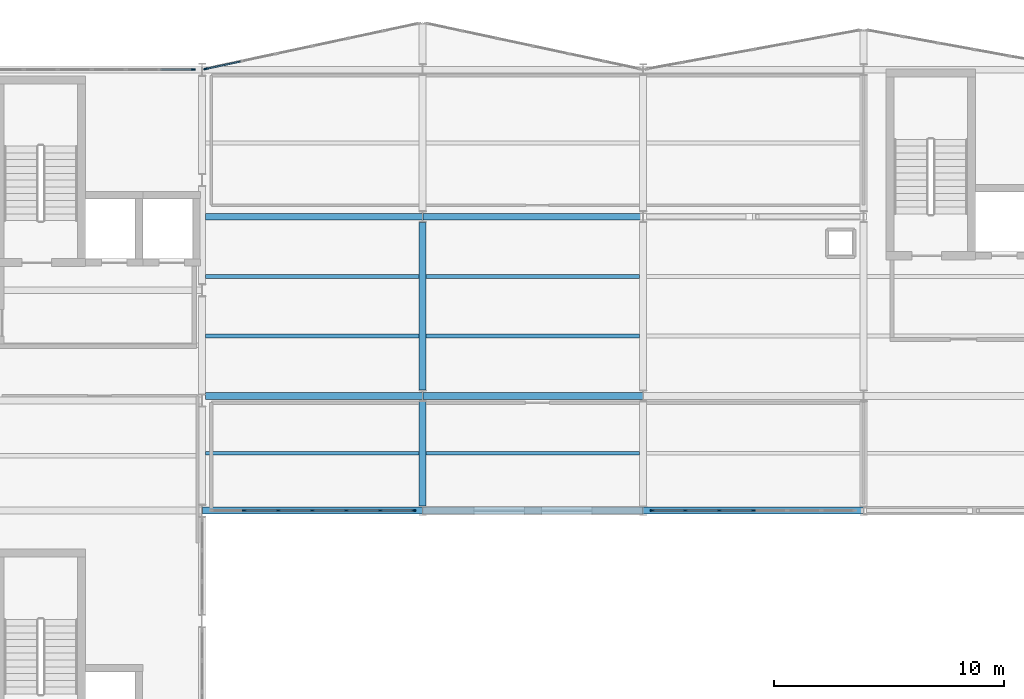
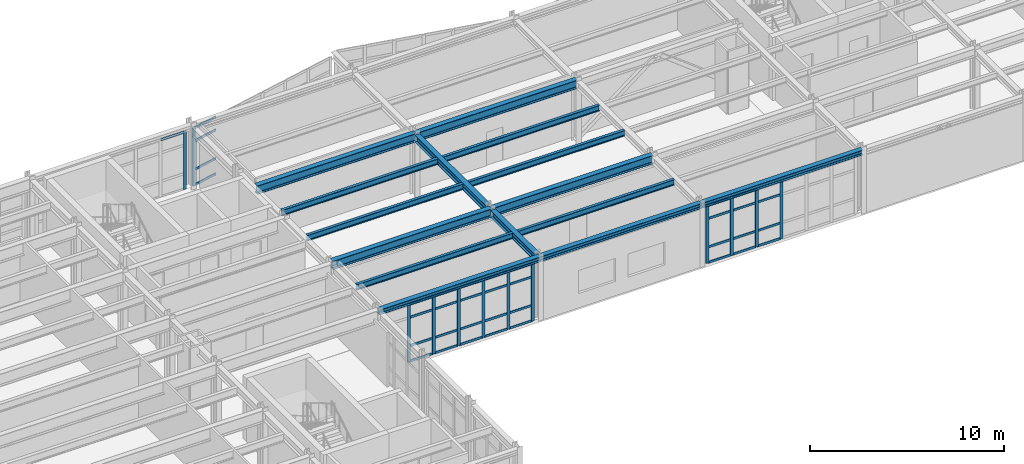
# One storey, part 35 of 88: 48 members, 15 beams, 4 elements without a shape of their own.
"""IFC4 building model written with IfcOpenShell, lengths in metres."""

import ifcopenshell
import ifcopenshell.guid

model = None  # the IFC model being written
_history = None  # IfcOwnerHistory: only IFC2X3 demands one
_inside = {}  # id of a spatial element -> (the spatial element, [elements in it])
_under = {}  # id of a project, library or spatial element -> (it, [spatial elements below it])
_declared = {}  # id of a project -> (the project, [libraries it declares])
_typed = {}  # id of a type object -> (the type object, [elements of that type])
_made_of = {}  # id of a material, layer set ... -> (it, [elements and type objects made of it])


def new_model(schema):
    """Start an empty IFC model of exactly this schema.

    Asked for "IFC4X3", IfcOpenShell would pick the latest addendum, in which some entities
    have other attributes; the version numbers below select the first issue.
    IFC2X3 requires an IfcOwnerHistory on every rooted entity: one is made here for all.
    """
    global model, _history
    if schema == "IFC4X3":
        model = ifcopenshell.file(schema_version=(4, 3, 0, 0))
    else:
        model = ifcopenshell.file(schema=schema)
    _inside.clear()
    _under.clear()
    _declared.clear()
    _typed.clear()
    _made_of.clear()
    _history = None
    if model.schema == "IFC2X3":
        org = make("IfcOrganization", Name="unknown")
        user = make(
            "IfcPersonAndOrganization",
            ThePerson=make("IfcPerson", FamilyName="unknown"),
            TheOrganization=org,
        )
        app = make(
            "IfcApplication",
            ApplicationDeveloper=org,
            Version="unknown",
            ApplicationFullName="unknown",
            ApplicationIdentifier="unknown",
        )
        _history = make(
            "IfcOwnerHistory",
            OwningUser=user,
            OwningApplication=app,
            ChangeAction="ADDED",
            CreationDate=0,
        )
    return model


def make(cls, **values):
    """One entity of the class cls with the attributes given. An attribute that is None is left unset."""
    return model.create_entity(
        cls, **{name: value for name, value in values.items() if value is not None}
    )


def rooted(cls, **values):
    """An entity with a GlobalId (a new one), such as an element, a storey or a relation."""
    return make(cls, GlobalId=ifcopenshell.guid.new(), OwnerHistory=_history, **values)


def si_unit(unit_type, name, prefix=None):
    """IfcSIUnit, for example si_unit("LENGTHUNIT", "METRE", prefix="MILLI")."""
    return make("IfcSIUnit", UnitType=unit_type, Prefix=prefix, Name=name)


def assignment(units):
    """IfcUnitAssignment: the units of a project."""
    return None if units is None else make("IfcUnitAssignment", Units=units)


def point(xyz):
    """IfcCartesianPoint."""
    return None if xyz is None else make("IfcCartesianPoint", Coordinates=xyz)


def direction(xyz):
    """IfcDirection."""
    return None if xyz is None else make("IfcDirection", DirectionRatios=xyz)


def frame(location, z_axis=None, x_axis=None):
    """IfcAxis2Placement3D, a coordinate frame: its origin and axes. An axis left out is left unset."""
    return make(
        "IfcAxis2Placement3D",
        Location=point(location),
        Axis=direction(z_axis),
        RefDirection=direction(x_axis),
    )


def frame_2d(location, x_axis=None):
    """IfcAxis2Placement2D, a coordinate frame in the plane: its origin and x axis."""
    return make(
        "IfcAxis2Placement2D", Location=point(location), RefDirection=direction(x_axis)
    )


def origin():
    """The frame at (0, 0, 0) with its axes left unset."""
    return frame((0.0, 0.0, 0.0))


def origin_2d():
    """The frame at (0, 0) in the plane with its x axis left unset."""
    return frame_2d((0.0, 0.0))


def place(relative_to, where):
    """IfcLocalPlacement: puts the frame where relative to a parent placement (None: the world)."""
    return make(
        "IfcLocalPlacement", PlacementRelTo=relative_to, RelativePlacement=where
    )


def context(
    kind, dimensions, precision=None, world=None, true_north=None, identifier=None
):
    """IfcGeometricRepresentationContext, for example the 3D "Model" context."""
    return make(
        "IfcGeometricRepresentationContext",
        ContextIdentifier=identifier,
        ContextType=kind,
        CoordinateSpaceDimension=dimensions,
        Precision=precision,
        WorldCoordinateSystem=world,
        TrueNorth=true_north,
    )


def subcontext(parent, identifier, kind, view, scale=None):
    """IfcGeometricRepresentationSubContext, for example "Body" below "Model"."""
    return make(
        "IfcGeometricRepresentationSubContext",
        ContextIdentifier=identifier,
        ContextType=kind,
        ParentContext=parent,
        TargetScale=scale,
        TargetView=view,
    )


def project(units=None, contexts=None):
    """IfcProject with its units and contexts."""
    return rooted(
        "IfcProject",
        Name="project",
        RepresentationContexts=contexts,
        UnitsInContext=assignment(units),
    )


def spatial(cls, under=None, at=None, **own):
    """A site, building, storey or space (cls), placed at a placement, below another one or the project."""
    s = rooted(cls, ObjectPlacement=at, **own)
    if under is not None:
        _under.setdefault(under.id(), (under, []))[1].append(s)
    return s


def profile(cls, at=None, kind="AREA", **sizes):
    """A parametric profile (cls). Its sizes go by their IFC names, for example OverallWidth=200.0."""
    return make(cls, ProfileType=kind, Position=at, **sizes)


def rectangle(**sizes):
    """IfcRectangleProfileDef."""
    return profile("IfcRectangleProfileDef", **sizes)


def i_section(**sizes):
    """IfcIShapeProfileDef."""
    return profile("IfcIShapeProfileDef", **sizes)


def extrude(swept, where, along, depth):
    """IfcExtrudedAreaSolid: the profile swept, set in the frame where, extruded along a direction by depth."""
    return make(
        "IfcExtrudedAreaSolid",
        SweptArea=swept,
        Position=where,
        ExtrudedDirection=direction(along),
        Depth=depth,
    )


def shape(context_of_items, identifier, shape_type, items):
    """IfcShapeRepresentation: the items that make up one representation, for example the "Body"."""
    return make(
        "IfcShapeRepresentation",
        ContextOfItems=context_of_items,
        RepresentationIdentifier=identifier,
        RepresentationType=shape_type,
        Items=items,
    )


def material(Name=None, Category=None):
    """IfcMaterial."""
    return make("IfcMaterial", Name=Name, Category=Category)


def layer(
    of_material, thickness, ventilated=None, Name=None, Category=None, Priority=None
):
    """IfcMaterialLayer: one layer of a wall or slab, of a material (None: an air gap)."""
    return make(
        "IfcMaterialLayer",
        Material=of_material,
        LayerThickness=thickness,
        IsVentilated=ventilated,
        Name=Name,
        Category=Category,
        Priority=Priority,
    )


def layer_set(layers, Name=None):
    """IfcMaterialLayerSet."""
    return make("IfcMaterialLayerSet", MaterialLayers=layers, LayerSetName=Name)


def material_profile(
    of_material, cross_section, Name=None, Category=None, Priority=None
):
    """IfcMaterialProfile: a cross section and its material."""
    return make(
        "IfcMaterialProfile",
        Name=Name,
        Material=of_material,
        Profile=cross_section,
        Priority=Priority,
        Category=Category,
    )


def profile_set(profiles, Name=None, composite=None):
    """IfcMaterialProfileSet."""
    return make(
        "IfcMaterialProfileSet",
        Name=Name,
        MaterialProfiles=profiles,
        CompositeProfile=composite,
    )


def made_of(thing, what):
    """Note that an element or type object is made of a material, layer set ...; save() writes the relation."""
    if what is not None:
        _made_of.setdefault(what.id(), (what, []))[1].append(thing)
    return thing


def type_object(cls, material=None, **own):
    """A type object (cls), such as IfcWallType, which elements share."""
    return made_of(rooted(cls, **own), material)


def element(
    cls,
    number,
    at=None,
    inside=None,
    cuts=None,
    type_object=None,
    material=None,
    context=None,
    identifier="Body",
    shape_type=None,
    held_by="IfcProductDefinitionShape",
    body=None,
    shapes=None,
    **own,
):
    """One element of the class cls, such as IfcWall. Its Tag is "e" and its number.

    at: its placement. inside: the storey or other place that contains it. cuts: it is an
    opening in that element (IfcRelVoidsElement). A single representation is given by context,
    identifier, shape_type and body (its items); several are given by shapes. held_by: the class
    of the entity that holds the representations. save() writes the other relations.
    """
    e = rooted(cls, Tag="e%d" % number, ObjectPlacement=at, **own)
    if body is not None:
        shapes = [shape(context, identifier, shape_type, body)]
    if shapes is not None:
        e.Representation = make(held_by, Representations=shapes)
    if inside is not None:
        _inside.setdefault(inside.id(), (inside, []))[1].append(e)
    if cuts is not None:
        rooted(
            "IfcRelVoidsElement", RelatingBuildingElement=cuts, RelatedOpeningElement=e
        )
    if type_object is not None:
        _typed.setdefault(type_object.id(), (type_object, []))[1].append(e)
    return made_of(e, material)


def aggregate(whole, parts):
    """IfcRelAggregates: a whole, such as a stair, and the parts it consists of."""
    return rooted("IfcRelAggregates", RelatingObject=whole, RelatedObjects=parts)


def save(model, path):
    """Write the relations noted so far, then the file.

    IfcRelAggregates (storeys below a building ...), IfcRelContainedInSpatialStructure (elements
    in a storey), IfcRelDefinesByType, IfcRelAssociatesMaterial and IfcRelDeclares: one each for
    every whole, place, type object, material and project.
    """
    for whole, parts in _under.values():
        aggregate(whole, parts)
    for where, things in _inside.values():
        rooted(
            "IfcRelContainedInSpatialStructure",
            RelatedElements=things,
            RelatingStructure=where,
        )
    for kind, things in _typed.values():
        rooted("IfcRelDefinesByType", RelatedObjects=things, RelatingType=kind)
    for what, things in _made_of.values():
        rooted("IfcRelAssociatesMaterial", RelatedObjects=things, RelatingMaterial=what)
    for by, libraries in _declared.values():
        rooted("IfcRelDeclares", RelatingContext=by, RelatedDefinitions=libraries)
    model.write(path)


model = new_model("IFC4")

# Units and contexts
model_context = context("Model", 3, precision=1e-05, world=origin(), true_north=direction((0.0, 1.0)))
body_context = subcontext(model_context, "Body", "Model", "MODEL_VIEW")
ifc_project = project(units=[si_unit("LENGTHUNIT", "METRE"), si_unit("AREAUNIT", "SQUARE_METRE"), si_unit("VOLUMEUNIT", "CUBIC_METRE"), si_unit("PLANEANGLEUNIT", "RADIAN"), si_unit("MASSUNIT", "GRAM", prefix="KILO")], contexts=[model_context])

# Site, building, storey
site_placement = place(None, origin())
site = spatial("IfcSite", under=ifc_project, at=site_placement, CompositionType="ELEMENT")
building_placement = place(site_placement, origin())
building = spatial("IfcBuilding", under=site, at=building_placement, Name="Nordkorset Police Headquarters", CompositionType="ELEMENT")
storey_placement = place(building_placement, frame((0.0, 0.0, 9.449951171875)))
storey = spatial("IfcBuildingStorey", under=building, at=storey_placement, Name="L02", CompositionType="ELEMENT", Elevation=9.449951171875)

# Beams
ifc_material_1 = material(Name="Steel S355J2", Category="steel")
ifc_material_profile_1 = material_profile(ifc_material_1, i_section(OverallWidth=0.169921875, OverallDepth=0.360107421875, WebThickness=0.008056640625, FlangeThickness=0.0126953125, FilletRadius=0.01806640625, at=origin_2d()), Name="IPE 360")
ifc_profile_set_1 = profile_set([ifc_material_profile_1], Name="Steel S355J2")
beam_type_1 = type_object("IfcBeamType", Name="Beam_IPE_360", PredefinedType="BEAM", material=ifc_profile_set_1)
for number, where, z_axis, x_axis, name in (
    (1, (28.949951171875, 100.10009765625, 3.7900390625), (1.0, 0.0, 0.0), (0.0, 1.0, 0.0), "Composite Floor Beam V2 L02 0-0-1"),
    (2, (28.949951171875, 105.199951171875, 3.7900390625), (1.0, 0.0, 0.0), (0.0, 1.0, 0.0), "Composite Floor Beam V2 L02 0-1-1"),
    (3, (28.949951171875, 107.800048828125, 3.7900390625), (1.0, 0.0, 0.0), (0.0, 1.0, 0.0), "Composite Floor Beam V2 L02 0-1-2"),
    (4, (38.550048828125, 100.10009765625, 3.7900390625), (1.0, 0.0, 0.0), (0.0, 1.0, 0.0), "Composite Floor Beam V2 L02 1-0-1"),
    (5, (38.550048828125, 105.199951171875, 3.7900390625), (1.0, 0.0, 0.0), (0.0, 1.0, 0.0), "Composite Floor Beam V2 L02 1-1-1"),
    (6, (38.550048828125, 107.800048828125, 3.7900390625), (1.0, 0.0, 0.0), (0.0, 1.0, 0.0), "Composite Floor Beam V2 L02 1-1-2"),
):
    element("IfcBeam", number, at=place(storey_placement, frame(where, z_axis=z_axis, x_axis=x_axis)), inside=storey, type_object=beam_type_1, Name=name, PredefinedType="BEAM", context=body_context, shape_type="SweptSolid", body=[
        extrude(i_section(OverallWidth=0.169921875, OverallDepth=0.360107421875, WebThickness=0.008056640625, FlangeThickness=0.0126953125, FilletRadius=0.01806640625, at=origin_2d()), origin(), (0.0, 0.0, 1.0), 9.300048828125),
    ])

# Curtain wall, member
ifc_material_2 = material(Name="Aluminium alloy AW-6060", Category="aluminium")
ifc_layer_1 = layer(ifc_material_2, 0.179931640625, Name="Aluminium alloy AW-6060")
ifc_layer_set_1 = layer_set([ifc_layer_1], Name="Aluminium alloy AW-6060")
curtain_wall_type_1 = type_object("IfcCurtainWallType", Name="CW_Unit_888x364", PredefinedType="USERDEFINED", material=ifc_layer_set_1)
curtain_wall_1_placement = place(storey_placement, origin())
curtain_wall_1 = element("IfcCurtainWall", 7, at=curtain_wall_1_placement, inside=storey, type_object=curtain_wall_type_1, Name="Unitised Curtain Wall L02 V1N-2", ObjectType="UNITISED CURTAIN WALL", PredefinedType="USERDEFINED")
ifc_material_3 = material(Name="Aluminium alloy AW-6060", Category="aluminium")
ifc_material_profile_2 = material_profile(ifc_material_3, rectangle(XDim=0.06494140625, YDim=0.179931640625, at=origin_2d()), Name="ALU MULL 65x180")
ifc_profile_set_2 = profile_set([ifc_material_profile_2], Name="Aluminium alloy AW-6060")
member_type_1 = type_object("IfcMemberType", Name="CW_Mullion_65x180", PredefinedType="MULLION", material=ifc_profile_set_2)
member_1_placement = place(storey_placement, frame((28.407470703125, 116.800048828125, 0.0), z_axis=(0.0, 0.0, 1.0), x_axis=(0.0, 1.0, 0.0)))
member_1 = element("IfcMember", 8, at=member_1_placement, type_object=member_type_1, Name="CW-53 mullion 7", PredefinedType="MULLION", context=body_context, shape_type="SweptSolid", body=[
    extrude(rectangle(XDim=0.06494140625, YDim=0.179931640625, at=origin_2d()), origin(), (0.0, 0.0, 1.0), 3.64013671875),
])

ifc_material_4 = material(Name="Aluminium alloy AW-6060", Category="aluminium")
ifc_layer_2 = layer(ifc_material_4, 0.179931640625, Name="Aluminium alloy AW-6060")
ifc_layer_set_2 = layer_set([ifc_layer_2], Name="Aluminium alloy AW-6060")
curtain_wall_type_2 = type_object("IfcCurtainWallType", Name="CW_Unit_954x364", PredefinedType="USERDEFINED", material=ifc_layer_set_2)
curtain_wall_2_placement = place(storey_placement, origin())
curtain_wall_2 = element("IfcCurtainWall", 9, at=curtain_wall_2_placement, inside=storey, type_object=curtain_wall_type_2, Name="Unitised Curtain Wall L02 V2N-0", ObjectType="UNITISED CURTAIN WALL", PredefinedType="USERDEFINED")
member_2_placement = place(storey_placement, frame((28.96875, 116.8359375, 0.0), z_axis=(0.0, 0.0, 1.0), x_axis=(-0.208832534289, 0.977951416289, 0.0)))
member_2 = element("IfcMember", 10, at=member_2_placement, type_object=member_type_1, Name="CW-25 mullion 1", PredefinedType="MULLION", context=body_context, shape_type="SweptSolid", body=[
    extrude(rectangle(XDim=0.06494140625, YDim=0.179931640625, at=origin_2d()), origin(), (0.0, 0.0, 1.0), 3.64013671875),
])

# Curtain wall, members
curtain_wall_3_placement = place(storey_placement, origin())
curtain_wall_3 = element("IfcCurtainWall", 11, at=curtain_wall_3_placement, inside=storey, type_object=curtain_wall_type_1, Name="Unitised Curtain Wall L02 V2S-0", ObjectType="UNITISED CURTAIN WALL", PredefinedType="USERDEFINED")
member_3_placement = place(storey_placement, frame((30.639892578125, 97.60009765625, 0.0), z_axis=(0.0, 0.0, 1.0), x_axis=(0.0, 1.0, 0.0)))
member_3 = element("IfcMember", 12, at=member_3_placement, type_object=member_type_1, Name="CW-53 mullion 2", PredefinedType="MULLION", context=body_context, shape_type="SweptSolid", body=[
    extrude(rectangle(XDim=0.06494140625, YDim=0.179931640625, at=origin_2d()), origin(), (0.0, 0.0, 1.0), 3.64013671875),
])
member_4_placement = place(storey_placement, frame((32.1201171875, 97.60009765625, 0.0), z_axis=(0.0, 0.0, 1.0), x_axis=(0.0, 1.0, 0.0)))
member_4 = element("IfcMember", 13, at=member_4_placement, type_object=member_type_1, Name="CW-53 mullion 3", PredefinedType="MULLION", context=body_context, shape_type="SweptSolid", body=[
    extrude(rectangle(XDim=0.06494140625, YDim=0.179931640625, at=origin_2d()), origin(), (0.0, 0.0, 1.0), 3.64013671875),
])
member_5_placement = place(storey_placement, frame((33.60009765625, 97.60009765625, 0.0), z_axis=(0.0, 0.0, 1.0), x_axis=(0.0, 1.0, 0.0)))
member_5 = element("IfcMember", 14, at=member_5_placement, type_object=member_type_1, Name="CW-53 mullion 4", PredefinedType="MULLION", context=body_context, shape_type="SweptSolid", body=[
    extrude(rectangle(XDim=0.06494140625, YDim=0.179931640625, at=origin_2d()), origin(), (0.0, 0.0, 1.0), 3.64013671875),
])
member_6_placement = place(storey_placement, frame((35.080078125, 97.60009765625, 0.0), z_axis=(0.0, 0.0, 1.0), x_axis=(0.0, 1.0, 0.0)))
member_6 = element("IfcMember", 15, at=member_6_placement, type_object=member_type_1, Name="CW-53 mullion 5", PredefinedType="MULLION", context=body_context, shape_type="SweptSolid", body=[
    extrude(rectangle(XDim=0.06494140625, YDim=0.179931640625, at=origin_2d()), origin(), (0.0, 0.0, 1.0), 3.64013671875),
])
member_7_placement = place(storey_placement, frame((36.56005859375, 97.60009765625, 0.0), z_axis=(0.0, 0.0, 1.0), x_axis=(0.0, 1.0, 0.0)))
member_7 = element("IfcMember", 16, at=member_7_placement, type_object=member_type_1, Name="CW-53 mullion 6", PredefinedType="MULLION", context=body_context, shape_type="SweptSolid", body=[
    extrude(rectangle(XDim=0.06494140625, YDim=0.179931640625, at=origin_2d()), origin(), (0.0, 0.0, 1.0), 3.64013671875),
])
member_8_placement = place(storey_placement, frame((38.007568359375, 97.60009765625, 0.0), z_axis=(0.0, 0.0, 1.0), x_axis=(0.0, 1.0, 0.0)))
member_8 = element("IfcMember", 17, at=member_8_placement, type_object=member_type_1, Name="CW-53 mullion 7", PredefinedType="MULLION", context=body_context, shape_type="SweptSolid", body=[
    extrude(rectangle(XDim=0.06494140625, YDim=0.179931640625, at=origin_2d()), origin(), (0.0, 0.0, 1.0), 3.64013671875),
])

curtain_wall_4_placement = place(storey_placement, origin())
curtain_wall_4 = element("IfcCurtainWall", 18, at=curtain_wall_4_placement, inside=storey, type_object=curtain_wall_type_1, Name="Unitised Curtain Wall L02 V2S-2", ObjectType="UNITISED CURTAIN WALL", PredefinedType="USERDEFINED")
member_9_placement = place(storey_placement, frame((48.392578125, 97.60009765625, 0.0), z_axis=(0.0, 0.0, 1.0), x_axis=(0.0, 1.0, 0.0)))
member_9 = element("IfcMember", 19, at=member_9_placement, type_object=member_type_1, Name="CW-53 mullion 1", PredefinedType="MULLION", context=body_context, shape_type="SweptSolid", body=[
    extrude(rectangle(XDim=0.06494140625, YDim=0.179931640625, at=origin_2d()), origin(), (0.0, 0.0, 1.0), 3.64013671875),
])
member_10_placement = place(storey_placement, frame((49.840087890625, 97.60009765625, 0.0), z_axis=(0.0, 0.0, 1.0), x_axis=(0.0, 1.0, 0.0)))
member_10 = element("IfcMember", 20, at=member_10_placement, type_object=member_type_1, Name="CW-53 mullion 2", PredefinedType="MULLION", context=body_context, shape_type="SweptSolid", body=[
    extrude(rectangle(XDim=0.06494140625, YDim=0.179931640625, at=origin_2d()), origin(), (0.0, 0.0, 1.0), 3.64013671875),
])
member_11_placement = place(storey_placement, frame((51.320068359375, 97.60009765625, 0.0), z_axis=(0.0, 0.0, 1.0), x_axis=(0.0, 1.0, 0.0)))
member_11 = element("IfcMember", 21, at=member_11_placement, type_object=member_type_1, Name="CW-53 mullion 3", PredefinedType="MULLION", context=body_context, shape_type="SweptSolid", body=[
    extrude(rectangle(XDim=0.06494140625, YDim=0.179931640625, at=origin_2d()), origin(), (0.0, 0.0, 1.0), 3.64013671875),
])
member_12_placement = place(storey_placement, frame((52.800048828125, 97.60009765625, 0.0), z_axis=(0.0, 0.0, 1.0), x_axis=(0.0, 1.0, 0.0)))
member_12 = element("IfcMember", 22, at=member_12_placement, type_object=member_type_1, Name="CW-53 mullion 4", PredefinedType="MULLION", context=body_context, shape_type="SweptSolid", body=[
    extrude(rectangle(XDim=0.06494140625, YDim=0.179931640625, at=origin_2d()), origin(), (0.0, 0.0, 1.0), 3.64013671875),
])

# Member
ifc_material_5 = material(Name="Aluminium alloy AW-6060", Category="aluminium")
ifc_material_profile_3 = material_profile(ifc_material_5, rectangle(XDim=0.06494140625, YDim=0.139892578125, at=origin_2d()), Name="ALU TRAN 65x140")
ifc_profile_set_3 = profile_set([ifc_material_profile_3], Name="Aluminium alloy AW-6060")
member_type_2 = type_object("IfcMemberType", Name="CW_Transom_65x140", PredefinedType="USERDEFINED", material=ifc_profile_set_3)
member_13_placement = place(storey_placement, frame((26.992431640625, 116.800048828125, 3.607666015625), z_axis=(1.0, 0.0, 0.0), x_axis=(0.0, 1.0, 0.0)))
member_13 = element("IfcMember", 23, at=member_13_placement, type_object=member_type_2, Name="CW-53 transom 6.4", ObjectType="TRANSOM", PredefinedType="USERDEFINED", context=body_context, shape_type="SweptSolid", body=[
    extrude(rectangle(XDim=0.06494140625, YDim=0.139892578125, at=origin_2d()), origin(), (0.0, 0.0, 1.0), 1.382568359375),
])

aggregate(curtain_wall_1, [member_1, member_13])

member_14_placement = place(storey_placement, frame((29.00048828125, 116.8427734375, 0.032470703125), z_axis=(0.977955422008, 0.208813774846, 0.0), x_axis=(-0.208813774846, 0.977955422008, 0.0)))
member_14 = element("IfcMember", 24, at=member_14_placement, type_object=member_type_2, Name="CW-25 transom 1.1", ObjectType="TRANSOM", PredefinedType="USERDEFINED", context=body_context, shape_type="SweptSolid", body=[
    extrude(rectangle(XDim=0.06494140625, YDim=0.139892578125, at=origin_2d()), origin(), (0.0, 0.0, 1.0), 1.491943359375),
])

member_15_placement = place(storey_placement, frame((29.00048828125, 116.8427734375, 1.0), z_axis=(0.977955422008, 0.208813774846, 0.0), x_axis=(-0.208813774846, 0.977955422008, 0.0)))
member_15 = element("IfcMember", 25, at=member_15_placement, type_object=member_type_2, Name="CW-25 transom 1.2", ObjectType="TRANSOM", PredefinedType="USERDEFINED", context=body_context, shape_type="SweptSolid", body=[
    extrude(rectangle(XDim=0.06494140625, YDim=0.139892578125, at=origin_2d()), origin(), (0.0, 0.0, 1.0), 1.491943359375),
])

member_16_placement = place(storey_placement, frame((29.00048828125, 116.8427734375, 2.7900390625), z_axis=(0.977955422008, 0.208813774846, 0.0), x_axis=(-0.208813774846, 0.977955422008, 0.0)))
member_16 = element("IfcMember", 26, at=member_16_placement, type_object=member_type_2, Name="CW-25 transom 1.3", ObjectType="TRANSOM", PredefinedType="USERDEFINED", context=body_context, shape_type="SweptSolid", body=[
    extrude(rectangle(XDim=0.06494140625, YDim=0.139892578125, at=origin_2d()), origin(), (0.0, 0.0, 1.0), 1.491943359375),
])

member_17_placement = place(storey_placement, frame((29.00048828125, 116.8427734375, 3.607666015625), z_axis=(0.977955422008, 0.208813774846, 0.0), x_axis=(-0.208813774846, 0.977955422008, 0.0)))
member_17 = element("IfcMember", 27, at=member_17_placement, type_object=member_type_2, Name="CW-25 transom 1.4", ObjectType="TRANSOM", PredefinedType="USERDEFINED", context=body_context, shape_type="SweptSolid", body=[
    extrude(rectangle(XDim=0.06494140625, YDim=0.139892578125, at=origin_2d()), origin(), (0.0, 0.0, 1.0), 1.491943359375),
])

aggregate(curtain_wall_2, [member_2, member_14, member_15, member_16, member_17])

member_18_placement = place(storey_placement, frame((30.672607421875, 97.60009765625, 0.032470703125), z_axis=(1.0, 0.0, 0.0), x_axis=(0.0, 1.0, 0.0)))
member_18 = element("IfcMember", 28, at=member_18_placement, type_object=member_type_2, Name="CW-53 transom 2.1", ObjectType="TRANSOM", PredefinedType="USERDEFINED", context=body_context, shape_type="SweptSolid", body=[
    extrude(rectangle(XDim=0.06494140625, YDim=0.139892578125, at=origin_2d()), origin(), (0.0, 0.0, 1.0), 1.414794921875),
])

member_19_placement = place(storey_placement, frame((30.672607421875, 97.60009765625, 1.0), z_axis=(1.0, 0.0, 0.0), x_axis=(0.0, 1.0, 0.0)))
member_19 = element("IfcMember", 29, at=member_19_placement, type_object=member_type_2, Name="CW-53 transom 2.2", ObjectType="TRANSOM", PredefinedType="USERDEFINED", context=body_context, shape_type="SweptSolid", body=[
    extrude(rectangle(XDim=0.06494140625, YDim=0.139892578125, at=origin_2d()), origin(), (0.0, 0.0, 1.0), 1.414794921875),
])

member_20_placement = place(storey_placement, frame((30.672607421875, 97.60009765625, 2.7900390625), z_axis=(1.0, 0.0, 0.0), x_axis=(0.0, 1.0, 0.0)))
member_20 = element("IfcMember", 30, at=member_20_placement, type_object=member_type_2, Name="CW-53 transom 2.3", ObjectType="TRANSOM", PredefinedType="USERDEFINED", context=body_context, shape_type="SweptSolid", body=[
    extrude(rectangle(XDim=0.06494140625, YDim=0.139892578125, at=origin_2d()), origin(), (0.0, 0.0, 1.0), 1.414794921875),
])

member_21_placement = place(storey_placement, frame((30.672607421875, 97.60009765625, 3.607666015625), z_axis=(1.0, 0.0, 0.0), x_axis=(0.0, 1.0, 0.0)))
member_21 = element("IfcMember", 31, at=member_21_placement, type_object=member_type_2, Name="CW-53 transom 2.4", ObjectType="TRANSOM", PredefinedType="USERDEFINED", context=body_context, shape_type="SweptSolid", body=[
    extrude(rectangle(XDim=0.06494140625, YDim=0.139892578125, at=origin_2d()), origin(), (0.0, 0.0, 1.0), 1.414794921875),
])

member_22_placement = place(storey_placement, frame((32.152587890625, 97.60009765625, 0.032470703125), z_axis=(1.0, 0.0, 0.0), x_axis=(0.0, 1.0, 0.0)))
member_22 = element("IfcMember", 32, at=member_22_placement, type_object=member_type_2, Name="CW-53 transom 3.1", ObjectType="TRANSOM", PredefinedType="USERDEFINED", context=body_context, shape_type="SweptSolid", body=[
    extrude(rectangle(XDim=0.06494140625, YDim=0.139892578125, at=origin_2d()), origin(), (0.0, 0.0, 1.0), 1.414794921875),
])

member_23_placement = place(storey_placement, frame((32.152587890625, 97.60009765625, 1.0), z_axis=(1.0, 0.0, 0.0), x_axis=(0.0, 1.0, 0.0)))
member_23 = element("IfcMember", 33, at=member_23_placement, type_object=member_type_2, Name="CW-53 transom 3.2", ObjectType="TRANSOM", PredefinedType="USERDEFINED", context=body_context, shape_type="SweptSolid", body=[
    extrude(rectangle(XDim=0.06494140625, YDim=0.139892578125, at=origin_2d()), origin(), (0.0, 0.0, 1.0), 1.414794921875),
])

member_24_placement = place(storey_placement, frame((32.152587890625, 97.60009765625, 2.7900390625), z_axis=(1.0, 0.0, 0.0), x_axis=(0.0, 1.0, 0.0)))
member_24 = element("IfcMember", 34, at=member_24_placement, type_object=member_type_2, Name="CW-53 transom 3.3", ObjectType="TRANSOM", PredefinedType="USERDEFINED", context=body_context, shape_type="SweptSolid", body=[
    extrude(rectangle(XDim=0.06494140625, YDim=0.139892578125, at=origin_2d()), origin(), (0.0, 0.0, 1.0), 1.414794921875),
])

member_25_placement = place(storey_placement, frame((32.152587890625, 97.60009765625, 3.607666015625), z_axis=(1.0, 0.0, 0.0), x_axis=(0.0, 1.0, 0.0)))
member_25 = element("IfcMember", 35, at=member_25_placement, type_object=member_type_2, Name="CW-53 transom 3.4", ObjectType="TRANSOM", PredefinedType="USERDEFINED", context=body_context, shape_type="SweptSolid", body=[
    extrude(rectangle(XDim=0.06494140625, YDim=0.139892578125, at=origin_2d()), origin(), (0.0, 0.0, 1.0), 1.414794921875),
])

member_26_placement = place(storey_placement, frame((33.632568359375, 97.60009765625, 0.032470703125), z_axis=(1.0, 0.0, 0.0), x_axis=(0.0, 1.0, 0.0)))
member_26 = element("IfcMember", 36, at=member_26_placement, type_object=member_type_2, Name="CW-53 transom 4.1", ObjectType="TRANSOM", PredefinedType="USERDEFINED", context=body_context, shape_type="SweptSolid", body=[
    extrude(rectangle(XDim=0.06494140625, YDim=0.139892578125, at=origin_2d()), origin(), (0.0, 0.0, 1.0), 1.4150390625),
])

member_27_placement = place(storey_placement, frame((33.632568359375, 97.60009765625, 1.0), z_axis=(1.0, 0.0, 0.0), x_axis=(0.0, 1.0, 0.0)))
member_27 = element("IfcMember", 37, at=member_27_placement, type_object=member_type_2, Name="CW-53 transom 4.2", ObjectType="TRANSOM", PredefinedType="USERDEFINED", context=body_context, shape_type="SweptSolid", body=[
    extrude(rectangle(XDim=0.06494140625, YDim=0.139892578125, at=origin_2d()), origin(), (0.0, 0.0, 1.0), 1.4150390625),
])

member_28_placement = place(storey_placement, frame((33.632568359375, 97.60009765625, 2.7900390625), z_axis=(1.0, 0.0, 0.0), x_axis=(0.0, 1.0, 0.0)))
member_28 = element("IfcMember", 38, at=member_28_placement, type_object=member_type_2, Name="CW-53 transom 4.3", ObjectType="TRANSOM", PredefinedType="USERDEFINED", context=body_context, shape_type="SweptSolid", body=[
    extrude(rectangle(XDim=0.06494140625, YDim=0.139892578125, at=origin_2d()), origin(), (0.0, 0.0, 1.0), 1.4150390625),
])

member_29_placement = place(storey_placement, frame((33.632568359375, 97.60009765625, 3.607666015625), z_axis=(1.0, 0.0, 0.0), x_axis=(0.0, 1.0, 0.0)))
member_29 = element("IfcMember", 39, at=member_29_placement, type_object=member_type_2, Name="CW-53 transom 4.4", ObjectType="TRANSOM", PredefinedType="USERDEFINED", context=body_context, shape_type="SweptSolid", body=[
    extrude(rectangle(XDim=0.06494140625, YDim=0.139892578125, at=origin_2d()), origin(), (0.0, 0.0, 1.0), 1.4150390625),
])

member_30_placement = place(storey_placement, frame((35.112548828125, 97.60009765625, 0.032470703125), z_axis=(1.0, 0.0, 0.0), x_axis=(0.0, 1.0, 0.0)))
member_30 = element("IfcMember", 40, at=member_30_placement, type_object=member_type_2, Name="CW-53 transom 5.1", ObjectType="TRANSOM", PredefinedType="USERDEFINED", context=body_context, shape_type="SweptSolid", body=[
    extrude(rectangle(XDim=0.06494140625, YDim=0.139892578125, at=origin_2d()), origin(), (0.0, 0.0, 1.0), 1.4150390625),
])

member_31_placement = place(storey_placement, frame((35.112548828125, 97.60009765625, 1.0), z_axis=(1.0, 0.0, 0.0), x_axis=(0.0, 1.0, 0.0)))
member_31 = element("IfcMember", 41, at=member_31_placement, type_object=member_type_2, Name="CW-53 transom 5.2", ObjectType="TRANSOM", PredefinedType="USERDEFINED", context=body_context, shape_type="SweptSolid", body=[
    extrude(rectangle(XDim=0.06494140625, YDim=0.139892578125, at=origin_2d()), origin(), (0.0, 0.0, 1.0), 1.4150390625),
])

member_32_placement = place(storey_placement, frame((35.112548828125, 97.60009765625, 2.7900390625), z_axis=(1.0, 0.0, 0.0), x_axis=(0.0, 1.0, 0.0)))
member_32 = element("IfcMember", 42, at=member_32_placement, type_object=member_type_2, Name="CW-53 transom 5.3", ObjectType="TRANSOM", PredefinedType="USERDEFINED", context=body_context, shape_type="SweptSolid", body=[
    extrude(rectangle(XDim=0.06494140625, YDim=0.139892578125, at=origin_2d()), origin(), (0.0, 0.0, 1.0), 1.4150390625),
])

member_33_placement = place(storey_placement, frame((35.112548828125, 97.60009765625, 3.607666015625), z_axis=(1.0, 0.0, 0.0), x_axis=(0.0, 1.0, 0.0)))
member_33 = element("IfcMember", 43, at=member_33_placement, type_object=member_type_2, Name="CW-53 transom 5.4", ObjectType="TRANSOM", PredefinedType="USERDEFINED", context=body_context, shape_type="SweptSolid", body=[
    extrude(rectangle(XDim=0.06494140625, YDim=0.139892578125, at=origin_2d()), origin(), (0.0, 0.0, 1.0), 1.4150390625),
])

member_34_placement = place(storey_placement, frame((36.592529296875, 97.60009765625, 0.032470703125), z_axis=(1.0, 0.0, 0.0), x_axis=(0.0, 1.0, 0.0)))
member_34 = element("IfcMember", 44, at=member_34_placement, type_object=member_type_2, Name="CW-53 transom 6.1", ObjectType="TRANSOM", PredefinedType="USERDEFINED", context=body_context, shape_type="SweptSolid", body=[
    extrude(rectangle(XDim=0.06494140625, YDim=0.139892578125, at=origin_2d()), origin(), (0.0, 0.0, 1.0), 1.382568359375),
])

member_35_placement = place(storey_placement, frame((36.592529296875, 97.60009765625, 1.0), z_axis=(1.0, 0.0, 0.0), x_axis=(0.0, 1.0, 0.0)))
member_35 = element("IfcMember", 45, at=member_35_placement, type_object=member_type_2, Name="CW-53 transom 6.2", ObjectType="TRANSOM", PredefinedType="USERDEFINED", context=body_context, shape_type="SweptSolid", body=[
    extrude(rectangle(XDim=0.06494140625, YDim=0.139892578125, at=origin_2d()), origin(), (0.0, 0.0, 1.0), 1.382568359375),
])

member_36_placement = place(storey_placement, frame((36.592529296875, 97.60009765625, 2.7900390625), z_axis=(1.0, 0.0, 0.0), x_axis=(0.0, 1.0, 0.0)))
member_36 = element("IfcMember", 46, at=member_36_placement, type_object=member_type_2, Name="CW-53 transom 6.3", ObjectType="TRANSOM", PredefinedType="USERDEFINED", context=body_context, shape_type="SweptSolid", body=[
    extrude(rectangle(XDim=0.06494140625, YDim=0.139892578125, at=origin_2d()), origin(), (0.0, 0.0, 1.0), 1.382568359375),
])

member_37_placement = place(storey_placement, frame((36.592529296875, 97.60009765625, 3.607666015625), z_axis=(1.0, 0.0, 0.0), x_axis=(0.0, 1.0, 0.0)))
member_37 = element("IfcMember", 47, at=member_37_placement, type_object=member_type_2, Name="CW-53 transom 6.4", ObjectType="TRANSOM", PredefinedType="USERDEFINED", context=body_context, shape_type="SweptSolid", body=[
    extrude(rectangle(XDim=0.06494140625, YDim=0.139892578125, at=origin_2d()), origin(), (0.0, 0.0, 1.0), 1.382568359375),
])

aggregate(curtain_wall_3, [member_3, member_4, member_5, member_6, member_7, member_8, member_18, member_19, member_20, member_21, member_22, member_23, member_24, member_25, member_26, member_27, member_28, member_29, member_30, member_31, member_32, member_33, member_34, member_35, member_36, member_37])

member_38_placement = place(storey_placement, frame((48.425048828125, 97.60009765625, 0.032470703125), z_axis=(1.0, 0.0, 0.0), x_axis=(0.0, 1.0, 0.0)))
member_38 = element("IfcMember", 48, at=member_38_placement, type_object=member_type_2, Name="CW-53 transom 1.1", ObjectType="TRANSOM", PredefinedType="USERDEFINED", context=body_context, shape_type="SweptSolid", body=[
    extrude(rectangle(XDim=0.06494140625, YDim=0.139892578125, at=origin_2d()), origin(), (0.0, 0.0, 1.0), 1.382568359375),
])

member_39_placement = place(storey_placement, frame((48.425048828125, 97.60009765625, 1.0), z_axis=(1.0, 0.0, 0.0), x_axis=(0.0, 1.0, 0.0)))
member_39 = element("IfcMember", 49, at=member_39_placement, type_object=member_type_2, Name="CW-53 transom 1.2", ObjectType="TRANSOM", PredefinedType="USERDEFINED", context=body_context, shape_type="SweptSolid", body=[
    extrude(rectangle(XDim=0.06494140625, YDim=0.139892578125, at=origin_2d()), origin(), (0.0, 0.0, 1.0), 1.382568359375),
])

member_40_placement = place(storey_placement, frame((48.425048828125, 97.60009765625, 2.7900390625), z_axis=(1.0, 0.0, 0.0), x_axis=(0.0, 1.0, 0.0)))
member_40 = element("IfcMember", 50, at=member_40_placement, type_object=member_type_2, Name="CW-53 transom 1.3", ObjectType="TRANSOM", PredefinedType="USERDEFINED", context=body_context, shape_type="SweptSolid", body=[
    extrude(rectangle(XDim=0.06494140625, YDim=0.139892578125, at=origin_2d()), origin(), (0.0, 0.0, 1.0), 1.382568359375),
])

member_41_placement = place(storey_placement, frame((48.425048828125, 97.60009765625, 3.607666015625), z_axis=(1.0, 0.0, 0.0), x_axis=(0.0, 1.0, 0.0)))
member_41 = element("IfcMember", 51, at=member_41_placement, type_object=member_type_2, Name="CW-53 transom 1.4", ObjectType="TRANSOM", PredefinedType="USERDEFINED", context=body_context, shape_type="SweptSolid", body=[
    extrude(rectangle(XDim=0.06494140625, YDim=0.139892578125, at=origin_2d()), origin(), (0.0, 0.0, 1.0), 1.382568359375),
])

member_42_placement = place(storey_placement, frame((49.87255859375, 97.60009765625, 0.032470703125), z_axis=(1.0, 0.0, 0.0), x_axis=(0.0, 1.0, 0.0)))
member_42 = element("IfcMember", 52, at=member_42_placement, type_object=member_type_2, Name="CW-53 transom 2.1", ObjectType="TRANSOM", PredefinedType="USERDEFINED", context=body_context, shape_type="SweptSolid", body=[
    extrude(rectangle(XDim=0.06494140625, YDim=0.139892578125, at=origin_2d()), origin(), (0.0, 0.0, 1.0), 1.4150390625),
])

member_43_placement = place(storey_placement, frame((49.87255859375, 97.60009765625, 1.0), z_axis=(1.0, 0.0, 0.0), x_axis=(0.0, 1.0, 0.0)))
member_43 = element("IfcMember", 53, at=member_43_placement, type_object=member_type_2, Name="CW-53 transom 2.2", ObjectType="TRANSOM", PredefinedType="USERDEFINED", context=body_context, shape_type="SweptSolid", body=[
    extrude(rectangle(XDim=0.06494140625, YDim=0.139892578125, at=origin_2d()), origin(), (0.0, 0.0, 1.0), 1.4150390625),
])

member_44_placement = place(storey_placement, frame((49.87255859375, 97.60009765625, 2.7900390625), z_axis=(1.0, 0.0, 0.0), x_axis=(0.0, 1.0, 0.0)))
member_44 = element("IfcMember", 54, at=member_44_placement, type_object=member_type_2, Name="CW-53 transom 2.3", ObjectType="TRANSOM", PredefinedType="USERDEFINED", context=body_context, shape_type="SweptSolid", body=[
    extrude(rectangle(XDim=0.06494140625, YDim=0.139892578125, at=origin_2d()), origin(), (0.0, 0.0, 1.0), 1.4150390625),
])

member_45_placement = place(storey_placement, frame((49.87255859375, 97.60009765625, 3.607666015625), z_axis=(1.0, 0.0, 0.0), x_axis=(0.0, 1.0, 0.0)))
member_45 = element("IfcMember", 55, at=member_45_placement, type_object=member_type_2, Name="CW-53 transom 2.4", ObjectType="TRANSOM", PredefinedType="USERDEFINED", context=body_context, shape_type="SweptSolid", body=[
    extrude(rectangle(XDim=0.06494140625, YDim=0.139892578125, at=origin_2d()), origin(), (0.0, 0.0, 1.0), 1.4150390625),
])

member_46_placement = place(storey_placement, frame((51.3525390625, 97.60009765625, 0.032470703125), z_axis=(1.0, 0.0, 0.0), x_axis=(0.0, 1.0, 0.0)))
member_46 = element("IfcMember", 56, at=member_46_placement, type_object=member_type_2, Name="CW-53 transom 3.1", ObjectType="TRANSOM", PredefinedType="USERDEFINED", context=body_context, shape_type="SweptSolid", body=[
    extrude(rectangle(XDim=0.06494140625, YDim=0.139892578125, at=origin_2d()), origin(), (0.0, 0.0, 1.0), 1.4150390625),
])

member_47_placement = place(storey_placement, frame((51.3525390625, 97.60009765625, 1.0), z_axis=(1.0, 0.0, 0.0), x_axis=(0.0, 1.0, 0.0)))
member_47 = element("IfcMember", 57, at=member_47_placement, type_object=member_type_2, Name="CW-53 transom 3.2", ObjectType="TRANSOM", PredefinedType="USERDEFINED", context=body_context, shape_type="SweptSolid", body=[
    extrude(rectangle(XDim=0.06494140625, YDim=0.139892578125, at=origin_2d()), origin(), (0.0, 0.0, 1.0), 1.4150390625),
])

member_48_placement = place(storey_placement, frame((51.3525390625, 97.60009765625, 2.7900390625), z_axis=(1.0, 0.0, 0.0), x_axis=(0.0, 1.0, 0.0)))
member_48 = element("IfcMember", 58, at=member_48_placement, type_object=member_type_2, Name="CW-53 transom 3.3", ObjectType="TRANSOM", PredefinedType="USERDEFINED", context=body_context, shape_type="SweptSolid", body=[
    extrude(rectangle(XDim=0.06494140625, YDim=0.139892578125, at=origin_2d()), origin(), (0.0, 0.0, 1.0), 1.4150390625),
])

aggregate(curtain_wall_4, [member_9, member_10, member_11, member_12, member_38, member_39, member_40, member_41, member_42, member_43, member_44, member_45, member_46, member_47, member_48])

# Beams
ifc_material_6 = material(Name="Steel S355J2", Category="steel")
ifc_material_profile_4 = material_profile(ifc_material_6, i_section(OverallWidth=0.300048828125, OverallDepth=0.43994140625, WebThickness=0.011474609375, FlangeThickness=0.02099609375, FilletRadius=0.027099609375, at=origin_2d()), Name="HEA 450")
ifc_profile_set_4 = profile_set([ifc_material_profile_4], Name="Steel S355J2")
beam_type_2 = type_object("IfcBeamType", Name="Girder_HEA_450", PredefinedType="USERDEFINED", material=ifc_profile_set_4)
beam_1_placement = place(storey_placement, frame((38.39990234375, 97.800048828125, 3.75), z_axis=(0.0, 1.0, 0.0), x_axis=(-1.0, 0.0, 0.0)))
element("IfcBeam", 59, at=beam_1_placement, inside=storey, type_object=beam_type_2, Name="Girder V2 L02 GY-1-0", ObjectType="GIRDER", PredefinedType="USERDEFINED", context=body_context, shape_type="SweptSolid", body=[
    extrude(i_section(OverallWidth=0.300048828125, OverallDepth=0.43994140625, WebThickness=0.011474609375, FlangeThickness=0.02099609375, FilletRadius=0.027099609375, at=origin_2d()), origin(), (0.0, 0.0, 1.0), 4.550048828125),
])
beam_2_placement = place(storey_placement, frame((38.39990234375, 102.85009765625, 3.75), z_axis=(0.0, 1.0, 0.0), x_axis=(-1.0, 0.0, 0.0)))
element("IfcBeam", 60, at=beam_2_placement, inside=storey, type_object=beam_type_2, Name="Girder V2 L02 GY-1-1", ObjectType="GIRDER", PredefinedType="USERDEFINED", context=body_context, shape_type="SweptSolid", body=[
    extrude(i_section(OverallWidth=0.300048828125, OverallDepth=0.43994140625, WebThickness=0.011474609375, FlangeThickness=0.02099609375, FilletRadius=0.027099609375, at=origin_2d()), origin(), (0.0, 0.0, 1.0), 7.2998046875),
])
ifc_material_7 = material(Name="Steel S355J2", Category="steel")
ifc_material_profile_5 = material_profile(ifc_material_7, i_section(OverallWidth=0.300048828125, OverallDepth=0.5400390625, WebThickness=0.012451171875, FlangeThickness=0.02392578125, FilletRadius=0.027099609375, at=origin_2d()), Name="HEA 550")
ifc_profile_set_5 = profile_set([ifc_material_profile_5], Name="Steel S355J2")
beam_type_3 = type_object("IfcBeamType", Name="Girder_HEA_550", PredefinedType="USERDEFINED", material=ifc_profile_set_5)
beam_3_placement = place(storey_placement, frame((28.949951171875, 102.60009765625, 3.699951171875), z_axis=(1.0, 0.0, 0.0), x_axis=(0.0, 1.0, 0.0)))
element("IfcBeam", 61, at=beam_3_placement, inside=storey, type_object=beam_type_3, Name="Girder V2 L02 GX-1-0", ObjectType="GIRDER", PredefinedType="USERDEFINED", context=body_context, shape_type="SweptSolid", body=[
    extrude(i_section(OverallWidth=0.300048828125, OverallDepth=0.5400390625, WebThickness=0.012451171875, FlangeThickness=0.02392578125, FilletRadius=0.027099609375, at=origin_2d()), origin(), (0.0, 0.0, 1.0), 9.442626953125),
])
beam_4_placement = place(storey_placement, frame((38.4072265625, 102.60009765625, 3.699951171875), z_axis=(1.0, 0.0, 0.0), x_axis=(0.0, 1.0, 0.0)))
element("IfcBeam", 62, at=beam_4_placement, inside=storey, type_object=beam_type_3, Name="Girder V2 L02 GX-1-1", ObjectType="GIRDER", PredefinedType="USERDEFINED", context=body_context, shape_type="SweptSolid", body=[
    extrude(i_section(OverallWidth=0.300048828125, OverallDepth=0.5400390625, WebThickness=0.012451171875, FlangeThickness=0.02392578125, FilletRadius=0.027099609375, at=origin_2d()), origin(), (0.0, 0.0, 1.0), 9.58544921875),
])
beam_5_placement = place(storey_placement, frame((28.949951171875, 110.39990234375, 3.699951171875), z_axis=(1.0, 0.0, 0.0), x_axis=(0.0, 1.0, 0.0)))
element("IfcBeam", 63, at=beam_5_placement, inside=storey, type_object=beam_type_3, Name="Girder V2 L02 GX-2-0", ObjectType="GIRDER", PredefinedType="USERDEFINED", context=body_context, shape_type="SweptSolid", body=[
    extrude(i_section(OverallWidth=0.300048828125, OverallDepth=0.5400390625, WebThickness=0.012451171875, FlangeThickness=0.02392578125, FilletRadius=0.027099609375, at=origin_2d()), origin(), (0.0, 0.0, 1.0), 9.442626953125),
])
beam_6_placement = place(storey_placement, frame((38.4072265625, 110.39990234375, 3.699951171875), z_axis=(1.0, 0.0, 0.0), x_axis=(0.0, 1.0, 0.0)))
element("IfcBeam", 64, at=beam_6_placement, inside=storey, type_object=beam_type_3, Name="Girder V2 L02 GX-2-1", ObjectType="GIRDER", PredefinedType="USERDEFINED", context=body_context, shape_type="SweptSolid", body=[
    extrude(i_section(OverallWidth=0.300048828125, OverallDepth=0.5400390625, WebThickness=0.012451171875, FlangeThickness=0.02392578125, FilletRadius=0.027099609375, at=origin_2d()), origin(), (0.0, 0.0, 1.0), 9.58544921875),
])
ifc_material_8 = material(Name="Steel S355J2", Category="steel")
ifc_material_profile_6 = material_profile(ifc_material_8, i_section(OverallWidth=0.300048828125, OverallDepth=0.31005859375, WebThickness=0.009033203125, FlangeThickness=0.015380859375, FilletRadius=0.027099609375, at=origin_2d()), Name="HEA 320")
ifc_profile_set_6 = profile_set([ifc_material_profile_6], Name="Steel S355J2")
beam_type_4 = type_object("IfcBeamType", Name="Spandrel_HEA_320", PredefinedType="SPANDREL", material=ifc_profile_set_6)
beam_7_placement = place(storey_placement, frame((28.8076171875, 97.60009765625, 3.81494140625), z_axis=(1.0, 0.0, 0.0), x_axis=(0.0, 1.0, 0.0)))
element("IfcBeam", 65, at=beam_7_placement, inside=storey, type_object=beam_type_4, Name="Girder V2 L02 GX-0-0", PredefinedType="SPANDREL", context=body_context, shape_type="SweptSolid", body=[
    extrude(i_section(OverallWidth=0.300048828125, OverallDepth=0.31005859375, WebThickness=0.009033203125, FlangeThickness=0.015380859375, FilletRadius=0.027099609375, at=origin_2d()), origin(), (0.0, 0.0, 1.0), 9.585693359375),
])
for number, where, z_axis, x_axis, name in (
    (66, (38.40673828125, 97.60009765625, 3.81494140625), (1.0, 0.0, 0.0), (0.0, 1.0, 0.0), "Girder V2 L02 GX-0-1"),
    (67, (48.006591796875, 97.60009765625, 3.81494140625), (1.0, 0.0, 0.0), (0.0, 1.0, 0.0), "Girder V2 L02 GX-0-2"),
):
    element("IfcBeam", number, at=place(storey_placement, frame(where, z_axis=z_axis, x_axis=x_axis)), inside=storey, type_object=beam_type_4, Name=name, PredefinedType="SPANDREL", context=body_context, shape_type="SweptSolid", body=[
        extrude(i_section(OverallWidth=0.300048828125, OverallDepth=0.31005859375, WebThickness=0.009033203125, FlangeThickness=0.015380859375, FilletRadius=0.027099609375, at=origin_2d()), origin(), (0.0, 0.0, 1.0), 9.586669921875),
    ])

save(model, "model.ifc")
